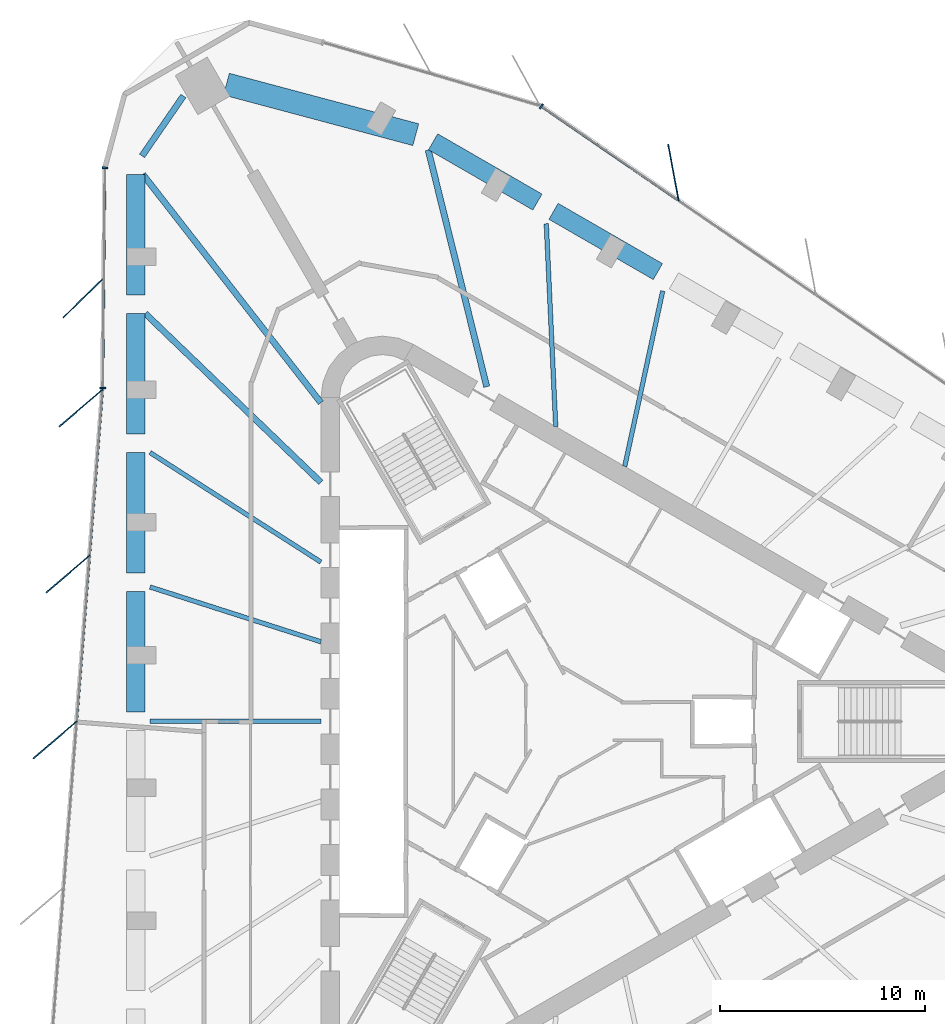
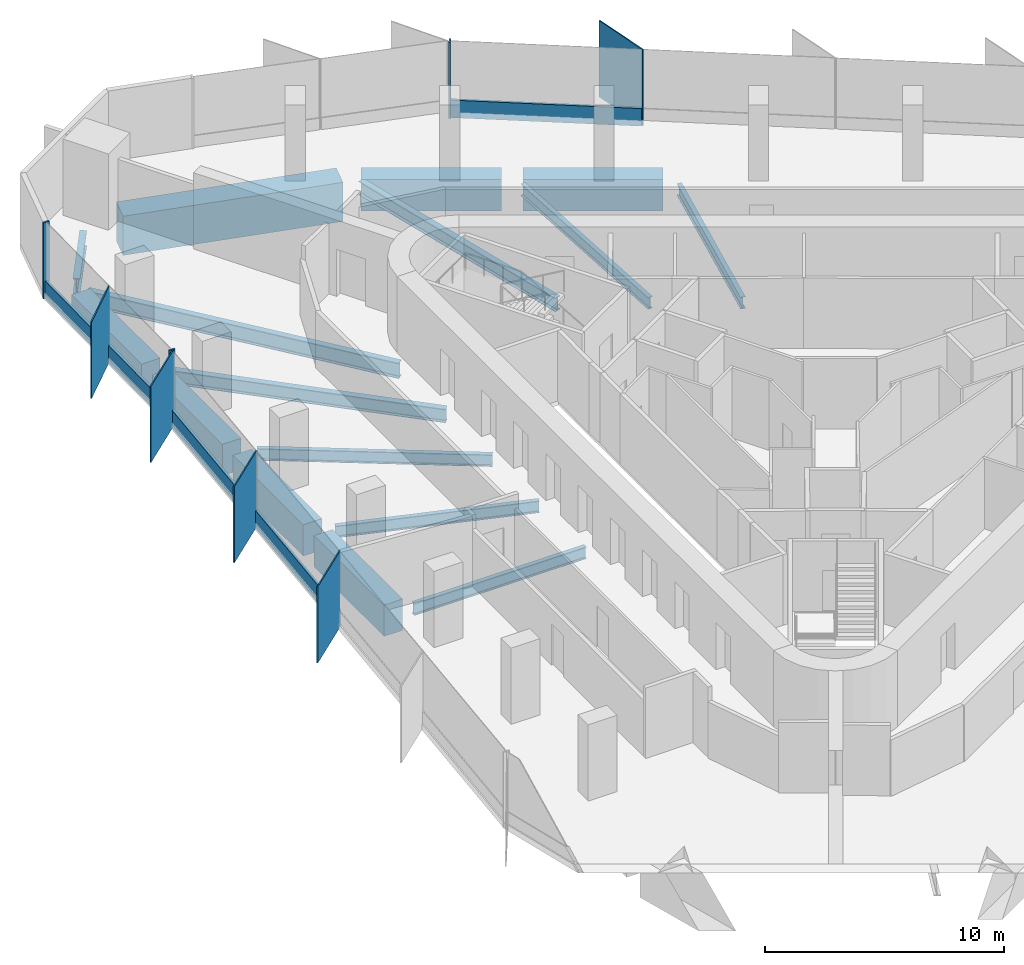
# One storey, part 4 of 14: 16 beams, 13 members, 3 elements without a shape of their own.
"""IFC4 building model written with IfcOpenShell, lengths in metres."""

from ifc_helpers import new_model, si_unit, direction, frame, origin, origin_2d, place, context, subcontext, project, spatial, rectangle, i_section, extrude, material, material_profile, profile_set, type_object, element, aggregate, save


model = new_model("IFC4")

# Units and contexts
model_context = context("Model", 3, precision=1e-05, world=origin(), true_north=direction((0.0, 1.0)))
body_context = subcontext(model_context, "Body", "Model", "MODEL_VIEW")
ifc_project = project(units=[si_unit("LENGTHUNIT", "METRE"), si_unit("AREAUNIT", "SQUARE_METRE"), si_unit("VOLUMEUNIT", "CUBIC_METRE"), si_unit("PLANEANGLEUNIT", "RADIAN"), si_unit("MASSUNIT", "GRAM", prefix="KILO")], contexts=[model_context])

# Site, building, storey
site_placement = place(None, origin())
site = spatial("IfcSite", under=ifc_project, at=site_placement, CompositionType="ELEMENT")
building_placement = place(site_placement, origin())
building = spatial("IfcBuilding", under=site, at=building_placement, Name="Tanit Gate Tower", CompositionType="ELEMENT")
storey_placement = place(building_placement, frame((0.0, 0.0, 298.699951171875)))
storey = spatial("IfcBuildingStorey", under=building, at=storey_placement, Name="L66", CompositionType="ELEMENT", Elevation=298.699951171875)

# Beam
ifc_material_1 = material(Name="Steel S460", Category="steel")
ifc_material_profile_1 = material_profile(ifc_material_1, i_section(OverallWidth=0.302978515625, OverallDepth=0.81396484375, WebThickness=0.02099609375, FlangeThickness=0.0400390625, FilletRadius=0.030029296875, at=origin_2d()), Name="HEM 800")
ifc_profile_set_1 = profile_set([ifc_material_profile_1], Name="Steel S460")
beam_type_1 = type_object("IfcBeamType", Name="BELT TRUSS CHORD HEM 800 S460", PredefinedType="BEAM", material=ifc_profile_set_1)
beam_1_placement = place(storey_placement, frame((-18.79541015625, 30.454345703125, -0.70703125), z_axis=(-0.567982145558, -0.823040875247, 0.0), x_axis=(0.823040875247, -0.567982145558, 0.0)))
element("IfcBeam", 1, at=beam_1_placement, inside=storey, type_object=beam_type_1, Name="BELT TRUSS CHORD", PredefinedType="BEAM", context=body_context, shape_type="SweptSolid", body=[
    extrude(i_section(OverallWidth=0.302978515625, OverallDepth=0.81396484375, WebThickness=0.02099609375, FlangeThickness=0.0400390625, FilletRadius=0.030029296875, at=origin_2d()), origin(), (0.0, 0.0, 1.0), 3.54833984375),
])

# Curtain wall, member
ifc_material_2 = material(Name="Aluminium bronze anodised and glass", Category="aluminium")
curtain_wall_type = type_object("IfcCurtainWallType", Name="Curtain wall typical high", PredefinedType="NOTDEFINED", material=ifc_material_2)
curtain_wall_1_placement = place(storey_placement, origin())
curtain_wall_1 = element("IfcCurtainWall", 2, at=curtain_wall_1_placement, inside=storey, type_object=curtain_wall_type, Name="Curtain wall L66 NE2", PredefinedType="NOTDEFINED")
ifc_material_3 = material(Name="Aluminium bronze anodised", Category="aluminium")
ifc_material_profile_2 = material_profile(ifc_material_3, rectangle(XDim=2.800048828125, YDim=0.055908203125, at=origin_2d()), Name="56x2800 bronze fin mullion")
ifc_profile_set_2 = profile_set([ifc_material_profile_2], Name="Aluminium bronze anodised")
member_type_1 = type_object("IfcMemberType", Name="FIN MULLION 56x2800 bronze", PredefinedType="MULLION", material=ifc_profile_set_2)
member_1_placement = place(storey_placement, frame((5.062744140625, 26.718017578125, -0.300048828125), z_axis=(0.0, 0.0, 1.0), x_axis=(0.182847499991, -0.983141287785, 0.0)))
member_1 = element("IfcMember", 3, at=member_1_placement, type_object=member_type_1, Name="Fin mullion L66 NE2.4", PredefinedType="MULLION", context=body_context, shape_type="SweptSolid", body=[
    extrude(rectangle(XDim=2.800048828125, YDim=0.055908203125, at=origin_2d()), origin(), (0.0, 0.0, 1.0), 3.900146484375),
])

curtain_wall_2_placement = place(storey_placement, origin())
curtain_wall_2 = element("IfcCurtainWall", 4, at=curtain_wall_2_placement, inside=storey, type_object=curtain_wall_type, Name="Curtain wall L66 W1", PredefinedType="NOTDEFINED")
member_2_placement = place(storey_placement, frame((-23.65625, 20.632568359375, -0.300048828125), z_axis=(0.0, 0.0, 1.0), x_axis=(0.71424439476, 0.699896381298, 0.0)))
member_2 = element("IfcMember", 5, at=member_2_placement, type_object=member_type_1, Name="Fin mullion L66 W1.2", PredefinedType="MULLION", context=body_context, shape_type="SweptSolid", body=[
    extrude(rectangle(XDim=2.800048828125, YDim=0.055908203125, at=origin_2d()), origin(), (0.0, 0.0, 1.0), 3.900146484375),
])

# Curtain wall, members
curtain_wall_3_placement = place(storey_placement, origin())
curtain_wall_3 = element("IfcCurtainWall", 6, at=curtain_wall_3_placement, inside=storey, type_object=curtain_wall_type, Name="Curtain wall L66 W2", PredefinedType="NOTDEFINED")
member_3_placement = place(storey_placement, frame((-23.77734375, 15.264892578125, -0.300048828125), z_axis=(0.0, 0.0, 1.0), x_axis=(0.760001580735, 0.649921223903, 0.0)))
member_3 = element("IfcMember", 7, at=member_3_placement, type_object=member_type_1, Name="Fin mullion L66 W2.1", PredefinedType="MULLION", context=body_context, shape_type="SweptSolid", body=[
    extrude(rectangle(XDim=2.800048828125, YDim=0.055908203125, at=origin_2d()), origin(), (0.0, 0.0, 1.0), 3.900146484375),
])
member_4_placement = place(storey_placement, frame((-24.407958984375, 7.18505859375, -0.300048828125), z_axis=(0.0, 0.0, 1.0), x_axis=(0.760001580735, 0.649921223903, 0.0)))
member_4 = element("IfcMember", 8, at=member_4_placement, type_object=member_type_1, Name="Fin mullion L66 W2.2", PredefinedType="MULLION", context=body_context, shape_type="SweptSolid", body=[
    extrude(rectangle(XDim=2.800048828125, YDim=0.055908203125, at=origin_2d()), origin(), (0.0, 0.0, 1.0), 3.900146484375),
])
member_5_placement = place(storey_placement, frame((-25.038818359375, -0.894775390625, -0.300048828125), z_axis=(0.0, 0.0, 1.0), x_axis=(0.760001580735, 0.649921223903, 0.0)))
member_5 = element("IfcMember", 9, at=member_5_placement, type_object=member_type_1, Name="Fin mullion L66 W2.3", PredefinedType="MULLION", context=body_context, shape_type="SweptSolid", body=[
    extrude(rectangle(XDim=2.800048828125, YDim=0.055908203125, at=origin_2d()), origin(), (0.0, 0.0, 1.0), 3.900146484375),
])

# Member
ifc_material_4 = material(Name="Aluminium bronze anodised", Category="aluminium")
ifc_material_profile_3 = material_profile(ifc_material_4, rectangle(XDim=0.280029296875, YDim=0.080078125, at=origin_2d()), Name="80x280 bronze mullion")
ifc_profile_set_3 = profile_set([ifc_material_profile_3], Name="Aluminium bronze anodised")
member_type_2 = type_object("IfcMemberType", Name="Mullion 80x280 typical high", PredefinedType="MULLION", material=ifc_profile_set_3)
member_6_placement = place(storey_placement, frame((-1.366943359375, 29.947265625, -0.300048828125), z_axis=(0.0, 0.0, 1.0), x_axis=(-0.56589316429, -0.824478578624, 0.0)))
member_6 = element("IfcMember", 10, at=member_6_placement, type_object=member_type_2, Name="Mullion L66 NE2.5", PredefinedType="MULLION", context=body_context, shape_type="SweptSolid", body=[
    extrude(rectangle(XDim=0.280029296875, YDim=0.080078125, at=origin_2d()), origin(), (0.0, 0.0, 1.0), 3.900146484375),
])

member_7_placement = place(storey_placement, frame((-22.615966796875, 26.955322265625, -0.300048828125), z_axis=(0.0, 0.0, 1.0), x_axis=(0.999948532303, -0.010145577616, 0.0)))
member_7 = element("IfcMember", 11, at=member_7_placement, type_object=member_type_2, Name="Mullion L66 W1.1", PredefinedType="MULLION", context=body_context, shape_type="SweptSolid", body=[
    extrude(rectangle(XDim=0.280029296875, YDim=0.080078125, at=origin_2d()), origin(), (0.0, 0.0, 1.0), 3.900146484375),
])

member_8_placement = place(storey_placement, frame((-22.724853515625, 16.24169921875, -0.300048828125), z_axis=(0.0, 0.0, 1.0), x_axis=(0.999948532303, -0.010145577616, 0.0)))
member_8 = element("IfcMember", 12, at=member_8_placement, type_object=member_type_2, Name="Mullion L66 W1.3", PredefinedType="MULLION", context=body_context, shape_type="SweptSolid", body=[
    extrude(rectangle(XDim=0.280029296875, YDim=0.080078125, at=origin_2d()), origin(), (0.0, 0.0, 1.0), 3.900146484375),
])

# Beams
ifc_material_5 = material(Name="Steel S355", Category="steel")
ifc_material_profile_4 = material_profile(ifc_material_5, i_section(OverallWidth=0.300048828125, OverallDepth=0.68994140625, WebThickness=0.014404296875, FlangeThickness=0.027099609375, FilletRadius=0.027099609375, at=origin_2d()), Name="HEA 700")
ifc_profile_set_4 = profile_set([ifc_material_profile_4], Name="Steel S355")
beam_type_2 = type_object("IfcBeamType", Name="RADIAL GIRDER HEA 700 S355", PredefinedType="BEAM", material=ifc_profile_set_4)
beam_2_placement = place(storey_placement, frame((-6.875, 27.818115234375, -0.64501953125), z_axis=(0.239929921854, -0.970790210395, 0.0), x_axis=(0.970790210395, 0.239929921854, 0.0)))
element("IfcBeam", 13, at=beam_2_placement, inside=storey, type_object=beam_type_2, Name="RADIAL GIRDER", PredefinedType="BEAM", context=body_context, shape_type="SweptSolid", body=[
    extrude(i_section(OverallWidth=0.300048828125, OverallDepth=0.68994140625, WebThickness=0.014404296875, FlangeThickness=0.027099609375, FilletRadius=0.027099609375, at=origin_2d()), origin(), (0.0, 0.0, 1.0), 11.86474609375),
])
beam_3_placement = place(storey_placement, frame((-20.653564453125, 19.86279296875, -0.64501953125), z_axis=(0.720779680612, -0.693164231634, 0.0), x_axis=(0.693164231634, 0.720779680612, 0.0)))
element("IfcBeam", 14, at=beam_3_placement, inside=storey, type_object=beam_type_2, Name="RADIAL GIRDER", PredefinedType="BEAM", context=body_context, shape_type="SweptSolid", body=[
    extrude(i_section(OverallWidth=0.300048828125, OverallDepth=0.68994140625, WebThickness=0.014404296875, FlangeThickness=0.027099609375, FilletRadius=0.027099609375, at=origin_2d()), origin(), (0.0, 0.0, 1.0), 11.8642578125),
])
ifc_material_6 = material(Name="Steel S355", Category="steel")
ifc_material_profile_5 = material_profile(ifc_material_6, i_section(OverallWidth=0.300048828125, OverallDepth=0.7900390625, WebThickness=0.014892578125, FlangeThickness=0.028076171875, FilletRadius=0.030029296875, at=origin_2d()), Name="HEA 800")
ifc_profile_set_5 = profile_set([ifc_material_profile_5], Name="Steel S355")
beam_type_3 = type_object("IfcBeamType", Name="RADIAL GIRDER HEA 800 S355", PredefinedType="BEAM", material=ifc_profile_set_5)
beam_4_placement = place(storey_placement, frame((-20.7705078125, 26.6337890625, -0.695068359375), z_axis=(0.614960509334, -0.788557906536, 0.0), x_axis=(0.788557906536, 0.614960509334, 0.0)))
element("IfcBeam", 15, at=beam_4_placement, inside=storey, type_object=beam_type_3, Name="RADIAL GIRDER", PredefinedType="BEAM", context=body_context, shape_type="SweptSolid", body=[
    extrude(i_section(OverallWidth=0.300048828125, OverallDepth=0.7900390625, WebThickness=0.014892578125, FlangeThickness=0.028076171875, FilletRadius=0.030029296875, at=origin_2d()), origin(), (0.0, 0.0, 1.0), 14.095947265625),
])
ifc_material_7 = material(Name="Steel S355", Category="steel")
ifc_material_profile_6 = material_profile(ifc_material_7, i_section(OverallWidth=0.219970703125, OverallDepth=0.60009765625, WebThickness=0.011962890625, FlangeThickness=0.01904296875, FilletRadius=0.02392578125, at=origin_2d()), Name="IPE 600")
ifc_profile_set_6 = profile_set([ifc_material_profile_6], Name="Steel S355")
beam_type_4 = type_object("IfcBeamType", Name="RADIAL GIRDER IPE 600 S355", PredefinedType="BEAM", material=ifc_profile_set_6)
beam_5_placement = place(storey_placement, frame((4.541259765625, 20.958740234375, -0.599853515625), z_axis=(-0.211767137826, -0.977320151914, 0.0), x_axis=(0.977320151914, -0.211767137826, 0.0)))
element("IfcBeam", 16, at=beam_5_placement, inside=storey, type_object=beam_type_4, Name="RADIAL GIRDER", PredefinedType="BEAM", context=body_context, shape_type="SweptSolid", body=[
    extrude(i_section(OverallWidth=0.219970703125, OverallDepth=0.60009765625, WebThickness=0.011962890625, FlangeThickness=0.01904296875, FilletRadius=0.02392578125, at=origin_2d()), origin(), (0.0, 0.0, 1.0), 8.736572265625),
])
beam_6_placement = place(storey_placement, frame((-1.12841796875, 24.232177734375, -0.599853515625), z_axis=(0.046517005863, -0.998917498178, 0.0), x_axis=(0.998917498178, 0.046517005863, 0.0)))
element("IfcBeam", 17, at=beam_6_placement, inside=storey, type_object=beam_type_4, Name="RADIAL GIRDER", PredefinedType="BEAM", context=body_context, shape_type="SweptSolid", body=[
    extrude(i_section(OverallWidth=0.219970703125, OverallDepth=0.60009765625, WebThickness=0.011962890625, FlangeThickness=0.01904296875, FilletRadius=0.02392578125, at=origin_2d()), origin(), (0.0, 0.0, 1.0), 9.8828125),
])
beam_7_placement = place(storey_placement, frame((-20.42138671875, 13.09326171875, -0.599853515625), z_axis=(0.841829634381, -0.539743334075, 0.0), x_axis=(0.539743334075, 0.841829634381, 0.0)))
element("IfcBeam", 18, at=beam_7_placement, inside=storey, type_object=beam_type_4, Name="RADIAL GIRDER", PredefinedType="BEAM", context=body_context, shape_type="SweptSolid", body=[
    extrude(i_section(OverallWidth=0.219970703125, OverallDepth=0.60009765625, WebThickness=0.011962890625, FlangeThickness=0.01904296875, FilletRadius=0.02392578125, at=origin_2d()), origin(), (0.0, 0.0, 1.0), 9.88232421875),
])
beam_8_placement = place(storey_placement, frame((-20.42138671875, 6.546630859375, -0.599853515625), z_axis=(0.952264375412, -0.305274563828, 0.0), x_axis=(0.305274563828, 0.952264375412, 0.0)))
element("IfcBeam", 19, at=beam_8_placement, inside=storey, type_object=beam_type_4, Name="RADIAL GIRDER", PredefinedType="BEAM", context=body_context, shape_type="SweptSolid", body=[
    extrude(i_section(OverallWidth=0.219970703125, OverallDepth=0.60009765625, WebThickness=0.011962890625, FlangeThickness=0.01904296875, FilletRadius=0.02392578125, at=origin_2d()), origin(), (0.0, 0.0, 1.0), 8.736328125),
])
beam_9_placement = place(storey_placement, frame((-20.42138671875, 0.0, -0.599853515625), z_axis=(1.0, 0.0, 0.0), x_axis=(0.0, 1.0, 0.0)))
element("IfcBeam", 20, at=beam_9_placement, inside=storey, type_object=beam_type_4, Name="RADIAL GIRDER", PredefinedType="BEAM", context=body_context, shape_type="SweptSolid", body=[
    extrude(i_section(OverallWidth=0.219970703125, OverallDepth=0.60009765625, WebThickness=0.011962890625, FlangeThickness=0.01904296875, FilletRadius=0.02392578125, at=origin_2d()), origin(), (0.0, 0.0, 1.0), 8.3193359375),
])
ifc_material_8 = material(Name="Concrete C60/75", Category="concrete")
ifc_material_profile_7 = material_profile(ifc_material_8, rectangle(XDim=1.10009765625, YDim=2.0, at=origin_2d()), Name="RC 1100x2000")
ifc_profile_set_7 = profile_set([ifc_material_profile_7], Name="Concrete C60/75")
beam_type_5 = type_object("IfcBeamType", Name="TRANSFER GIRDER 1100x2000 C60/75", PredefinedType="USERDEFINED", material=ifc_profile_set_7)
beam_10_placement = place(storey_placement, frame((-7.481201171875, 28.568359375, -1.300048828125), z_axis=(-0.966199688287, 0.257794806685, 0.0), x_axis=(-0.257794806685, -0.966199688287, 0.0)))
element("IfcBeam", 21, at=beam_10_placement, inside=storey, type_object=beam_type_5, Name="TRANSFER GIRDER", ObjectType="GIRDER", PredefinedType="USERDEFINED", context=body_context, shape_type="SweptSolid", body=[
    extrude(rectangle(XDim=1.10009765625, YDim=2.0, at=origin_2d()), origin(), (0.0, 0.0, 1.0), 9.543212890625),
])
ifc_material_9 = material(Name="Concrete C60/75", Category="concrete")
ifc_material_profile_8 = material_profile(ifc_material_9, rectangle(XDim=0.89990234375, YDim=1.60009765625, at=origin_2d()), Name="RC 900x1600")
ifc_profile_set_8 = profile_set([ifc_material_profile_8], Name="Concrete C60/75")
beam_type_6 = type_object("IfcBeamType", Name="TRANSFER GIRDER 900x1600 C60/75", PredefinedType="USERDEFINED", material=ifc_profile_set_8)
for number, where, z_axis, x_axis, name in (
    (22, (4.30712890625, 21.902099609375, -1.099853515625), (-0.866023543838, 0.500003221507, 0.0), (-0.500003221507, -0.866023543838, 0.0), "TRANSFER GIRDER"),
    (23, (-1.556640625, 25.28759765625, -1.099853515625), (-0.866023543838, 0.500003221507, 0.0), (-0.500003221507, -0.866023543838, 0.0), "TRANSFER GIRDER"),
):
    element("IfcBeam", number, at=place(storey_placement, frame(where, z_axis=z_axis, x_axis=x_axis)), inside=storey, type_object=beam_type_6, Name=name, ObjectType="GIRDER", PredefinedType="USERDEFINED", context=body_context, shape_type="SweptSolid", body=[
        extrude(rectangle(XDim=0.89990234375, YDim=1.60009765625, at=origin_2d()), origin(), (0.0, 0.0, 1.0), 5.87109375),
    ])
for number, where, z_axis, x_axis, name in (
    (24, (-21.121337890625, 26.6337890625, -1.099853515625), (0.0, -1.0, 0.0), (1.0, 0.0, 0.0), "TRANSFER GIRDER"),
    (25, (-21.121337890625, 19.86279296875, -1.099853515625), (0.0, -1.0, 0.0), (1.0, 0.0, 0.0), "TRANSFER GIRDER"),
):
    element("IfcBeam", number, at=place(storey_placement, frame(where, z_axis=z_axis, x_axis=x_axis)), inside=storey, type_object=beam_type_6, Name=name, ObjectType="GIRDER", PredefinedType="USERDEFINED", context=body_context, shape_type="SweptSolid", body=[
        extrude(rectangle(XDim=0.89990234375, YDim=1.60009765625, at=origin_2d()), origin(), (0.0, 0.0, 1.0), 5.870849609375),
    ])
for number, where, z_axis, x_axis, name in (
    (26, (-21.121337890625, 13.092041015625, -1.099853515625), (0.0, -1.0, 0.0), (1.0, 0.0, 0.0), "TRANSFER GIRDER"),
    (27, (-21.121337890625, 6.321044921875, -1.099853515625), (0.0, -1.0, 0.0), (1.0, 0.0, 0.0), "TRANSFER GIRDER"),
):
    element("IfcBeam", number, at=place(storey_placement, frame(where, z_axis=z_axis, x_axis=x_axis)), inside=storey, type_object=beam_type_6, Name=name, ObjectType="GIRDER", PredefinedType="USERDEFINED", context=body_context, shape_type="SweptSolid", body=[
        extrude(rectangle(XDim=0.89990234375, YDim=1.60009765625, at=origin_2d()), origin(), (0.0, 0.0, 1.0), 5.87109375),
    ])

# Member
ifc_material_10 = material(Name="Aluminium bronze anodised", Category="aluminium")
ifc_material_profile_9 = material_profile(ifc_material_10, rectangle(XDim=0.1201171875, YDim=0.89990234375, at=origin_2d()), Name="120x900 bronze transom")
ifc_profile_set_9 = profile_set([ifc_material_profile_9], Name="Aluminium bronze anodised")
member_type_3 = type_object("IfcMemberType", Name="Transom 120x900 typical high", PredefinedType="USERDEFINED", material=ifc_profile_set_9)
member_9_placement = place(storey_placement, frame((5.281982421875, 25.383544921875, 0.150146484375), z_axis=(-0.824475777341, 0.565897245601, 0.0), x_axis=(-0.565897245601, -0.824475777341, 0.0)))
member_9 = element("IfcMember", 28, at=member_9_placement, type_object=member_type_3, Name="Transom L66 NE2.4", ObjectType="TRANSOM", PredefinedType="USERDEFINED", context=body_context, shape_type="SweptSolid", body=[
    extrude(rectangle(XDim=0.1201171875, YDim=0.89990234375, at=origin_2d()), origin(), (0.0, 0.0, 1.0), 8.0244140625),
])

aggregate(curtain_wall_1, [member_1, member_6, member_9])

member_10_placement = place(storey_placement, frame((-22.616455078125, 26.915283203125, 0.150146484375), z_axis=(-0.010132270306, -0.999948667232, 0.0), x_axis=(0.999948667232, -0.010132270306, 0.0)))
member_10 = element("IfcMember", 29, at=member_10_placement, type_object=member_type_3, Name="Transom L66 W1.1", ObjectType="TRANSOM", PredefinedType="USERDEFINED", context=body_context, shape_type="SweptSolid", body=[
    extrude(rectangle(XDim=0.1201171875, YDim=0.89990234375, at=origin_2d()), origin(), (0.0, 0.0, 1.0), 5.27685546875),
])

member_11_placement = place(storey_placement, frame((-22.6708984375, 21.55859375, 0.150146484375), z_axis=(-0.010131801571, -0.999948671981, 0.0), x_axis=(0.999948671981, -0.010131801571, 0.0)))
member_11 = element("IfcMember", 30, at=member_11_placement, type_object=member_type_3, Name="Transom L66 W1.2", ObjectType="TRANSOM", PredefinedType="USERDEFINED", context=body_context, shape_type="SweptSolid", body=[
    extrude(rectangle(XDim=0.1201171875, YDim=0.89990234375, at=origin_2d()), origin(), (0.0, 0.0, 1.0), 5.277099609375),
])

aggregate(curtain_wall_2, [member_7, member_2, member_8, member_10, member_11])

member_12_placement = place(storey_placement, frame((-22.7314453125, 16.1220703125, 0.150146484375), z_axis=(-0.077827186267, -0.996966864584, 0.0), x_axis=(0.996966864584, -0.077827186267, 0.0)))
member_12 = element("IfcMember", 31, at=member_12_placement, type_object=member_type_3, Name="Transom L66 W2.1", ObjectType="TRANSOM", PredefinedType="USERDEFINED", context=body_context, shape_type="SweptSolid", body=[
    extrude(rectangle(XDim=0.1201171875, YDim=0.89990234375, at=origin_2d()), origin(), (0.0, 0.0, 1.0), 8.0244140625),
])

member_13_placement = place(storey_placement, frame((-23.3623046875, 8.042236328125, 0.150146484375), z_axis=(-0.077827186267, -0.996966864584, 0.0), x_axis=(0.996966864584, -0.077827186267, 0.0)))
member_13 = element("IfcMember", 32, at=member_13_placement, type_object=member_type_3, Name="Transom L66 W2.2", ObjectType="TRANSOM", PredefinedType="USERDEFINED", context=body_context, shape_type="SweptSolid", body=[
    extrude(rectangle(XDim=0.1201171875, YDim=0.89990234375, at=origin_2d()), origin(), (0.0, 0.0, 1.0), 8.0244140625),
])

aggregate(curtain_wall_3, [member_3, member_4, member_5, member_12, member_13])

save(model, "model.ifc")
